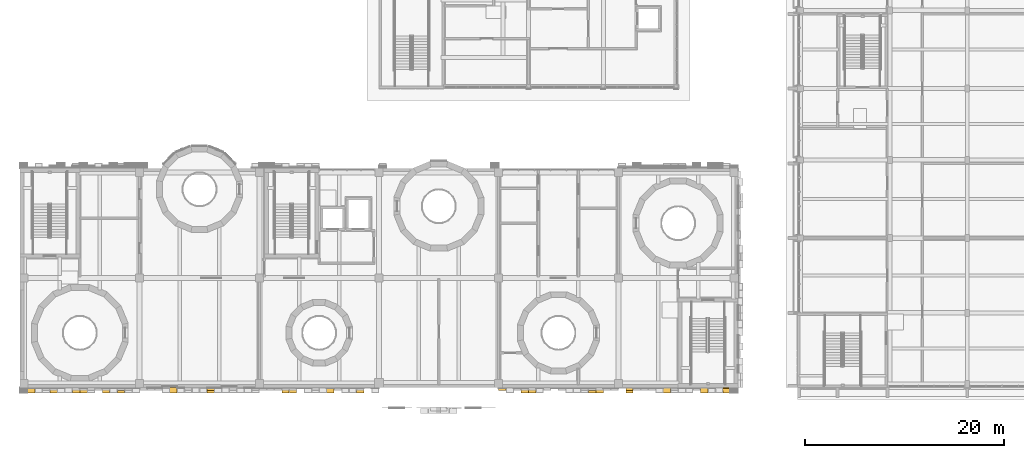
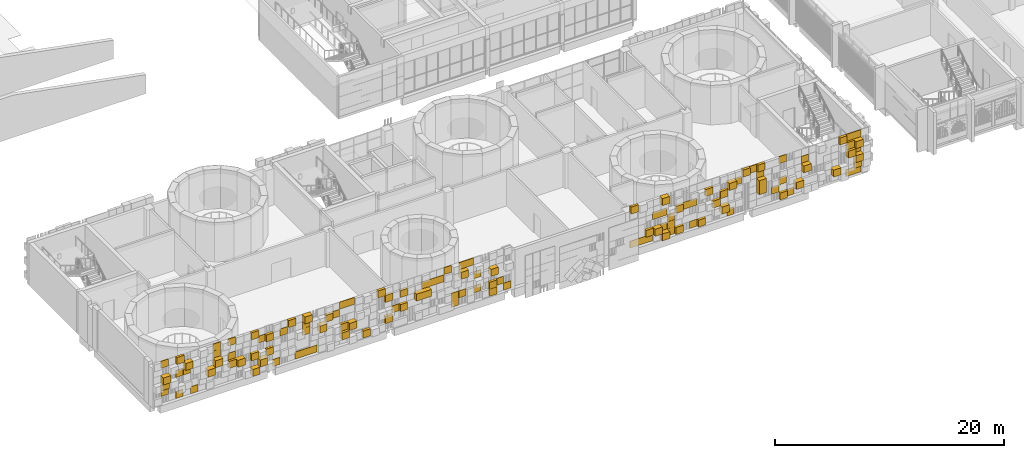
# One storey, part 61 of 92: 1 covering.
"""IFC4 building model written with IfcOpenShell, lengths in metres."""

from ifc_helpers import new_model, si_unit, direction, frame, origin, origin_2d, place, context, subcontext, project, spatial, rectangle, extrude, material, layer, layer_set, type_object, element, save


model = new_model("IFC4")

# Units and contexts
model_context = context("Model", 3, precision=1e-05, world=origin(), true_north=direction((0.0, 1.0)))
body_context = subcontext(model_context, "Body", "Model", "MODEL_VIEW")
ifc_project = project(units=[si_unit("LENGTHUNIT", "METRE"), si_unit("AREAUNIT", "SQUARE_METRE"), si_unit("VOLUMEUNIT", "CUBIC_METRE"), si_unit("PLANEANGLEUNIT", "RADIAN"), si_unit("MASSUNIT", "GRAM", prefix="KILO")], contexts=[model_context])

# Site, building, storey
site_placement = place(None, origin())
site = spatial("IfcSite", under=ifc_project, at=site_placement, CompositionType="ELEMENT")
building_placement = place(site_placement, origin())
building = spatial("IfcBuilding", under=site, at=building_placement, Name="Sun Court Science Centre", CompositionType="ELEMENT")
storey_placement = place(building_placement, frame((0.0, 0.0, 11.25)))
storey = spatial("IfcBuildingStorey", under=building, at=storey_placement, Name="L02", CompositionType="ELEMENT", Elevation=11.25)

# Covering
ifc_material = material(Name="Terracotta shade 1", Category="masonry")
ifc_layer = layer(ifc_material, 0.06005859375)
ifc_layer_set = layer_set([ifc_layer], Name="Terracotta shade 1")
covering_type = type_object("IfcCoveringType", Name="Terracotta pixel panel shade 1", PredefinedType="CLADDING", material=ifc_layer_set)
covering_placement = place(storey_placement, frame((0.0, 0.0, -11.25)))
element("IfcCovering", 1, at=covering_placement, inside=storey, type_object=covering_type, Name="Terracotta pixel cladding shade 1 south face L02", PredefinedType="CLADDING", context=body_context, shape_type="SweptSolid", body=[
    extrude(rectangle(XDim=0.739990234375, YDim=0.06005859375, at=origin_2d()), frame((70.875, 5.969970703125, 11.2548828125), z_axis=(0.0, 0.0, 1.0), x_axis=(-1.0, 0.0, 0.0)), (0.0, 0.0, 1.0), 0.739990234375),
    extrude(rectangle(XDim=0.739990234375, YDim=0.06005859375, at=origin_2d()), frame((70.125, 5.969970703125, 11.2548828125), z_axis=(0.0, 0.0, 1.0), x_axis=(-1.0, 0.0, 0.0)), (0.0, 0.0, 1.0), 0.739990234375),
    extrude(rectangle(XDim=0.739990234375, YDim=0.06005859375, at=origin_2d()), frame((64.125, 5.969970703125, 11.2548828125), z_axis=(0.0, 0.0, 1.0), x_axis=(-1.0, 0.0, 0.0)), (0.0, 0.0, 1.0), 0.739990234375),
    extrude(rectangle(XDim=0.739990234375, YDim=0.260009765625, at=origin_2d()), frame((63.375, 5.8701171875, 11.2548828125), z_axis=(0.0, 0.0, 1.0), x_axis=(-1.0, 0.0, 0.0)), (0.0, 0.0, 1.0), 0.739990234375),
    extrude(rectangle(XDim=0.739990234375, YDim=0.06005859375, at=origin_2d()), frame((58.125, 5.969970703125, 11.2548828125), z_axis=(0.0, 0.0, 1.0), x_axis=(-1.0, 0.0, 0.0)), (0.0, 0.0, 1.0), 0.739990234375),
    extrude(rectangle(XDim=0.739990234375, YDim=0.260009765625, at=origin_2d()), frame((55.125, 5.8701171875, 11.2548828125), z_axis=(0.0, 0.0, 1.0), x_axis=(-1.0, 0.0, 0.0)), (0.0, 0.0, 1.0), 0.739990234375),
    extrude(rectangle(XDim=0.739990234375, YDim=0.06005859375, at=origin_2d()), frame((54.375, 5.969970703125, 11.2548828125), z_axis=(0.0, 0.0, 1.0), x_axis=(-1.0, 0.0, 0.0)), (0.0, 0.0, 1.0), 0.739990234375),
    extrude(rectangle(XDim=0.739990234375, YDim=0.260009765625, at=origin_2d()), frame((52.875, 5.8701171875, 11.2548828125), z_axis=(0.0, 0.0, 1.0), x_axis=(-1.0, 0.0, 0.0)), (0.0, 0.0, 1.0), 0.739990234375),
    extrude(rectangle(XDim=0.739990234375, YDim=0.06005859375, at=origin_2d()), frame((52.125, 5.969970703125, 11.2548828125), z_axis=(0.0, 0.0, 1.0), x_axis=(-1.0, 0.0, 0.0)), (0.0, 0.0, 1.0), 0.739990234375),
    extrude(rectangle(XDim=0.739990234375, YDim=0.510009765625, at=origin_2d()), frame((51.375, 5.7451171875, 11.2548828125), z_axis=(0.0, 0.0, 1.0), x_axis=(-1.0, 0.0, 0.0)), (0.0, 0.0, 1.0), 0.739990234375),
    extrude(rectangle(XDim=0.739990234375, YDim=0.06005859375, at=origin_2d()), frame((49.875, 5.969970703125, 11.2548828125), z_axis=(0.0, 0.0, 1.0), x_axis=(-1.0, 0.0, 0.0)), (0.0, 0.0, 1.0), 0.739990234375),
    extrude(rectangle(XDim=0.739990234375, YDim=0.06005859375, at=origin_2d()), frame((49.125, 5.969970703125, 11.2548828125), z_axis=(0.0, 0.0, 1.0), x_axis=(-1.0, 0.0, 0.0)), (0.0, 0.0, 1.0), 0.739990234375),
    extrude(rectangle(XDim=0.739990234375, YDim=0.06005859375, at=origin_2d()), frame((48.375, 5.969970703125, 11.2548828125), z_axis=(0.0, 0.0, 1.0), x_axis=(-1.0, 0.0, 0.0)), (0.0, 0.0, 1.0), 0.739990234375),
    extrude(rectangle(XDim=0.739990234375, YDim=0.06005859375, at=origin_2d()), frame((35.625, 5.969970703125, 11.2548828125), z_axis=(0.0, 0.0, 1.0), x_axis=(-1.0, 0.0, 0.0)), (0.0, 0.0, 1.0), 0.739990234375),
    extrude(rectangle(XDim=0.739990234375, YDim=0.260009765625, at=origin_2d()), frame((34.125, 5.8701171875, 11.2548828125), z_axis=(0.0, 0.0, 1.0), x_axis=(-1.0, 0.0, 0.0)), (0.0, 0.0, 1.0), 0.739990234375),
    extrude(rectangle(XDim=0.739990234375, YDim=0.06005859375, at=origin_2d()), frame((30.375, 5.969970703125, 11.2548828125), z_axis=(0.0, 0.0, 1.0), x_axis=(-1.0, 0.0, 0.0)), (0.0, 0.0, 1.0), 0.739990234375),
    extrude(rectangle(XDim=0.739990234375, YDim=0.260009765625, at=origin_2d()), frame((21.375, 5.8701171875, 11.2548828125), z_axis=(0.0, 0.0, 1.0), x_axis=(-1.0, 0.0, 0.0)), (0.0, 0.0, 1.0), 0.739990234375),
    extrude(rectangle(XDim=0.739990234375, YDim=0.06005859375, at=origin_2d()), frame((16.125, 5.969970703125, 11.2548828125), z_axis=(0.0, 0.0, 1.0), x_axis=(-1.0, 0.0, 0.0)), (0.0, 0.0, 1.0), 0.739990234375),
    extrude(rectangle(XDim=0.739990234375, YDim=0.06005859375, at=origin_2d()), frame((15.375, 5.969970703125, 11.2548828125), z_axis=(0.0, 0.0, 1.0), x_axis=(-1.0, 0.0, 0.0)), (0.0, 0.0, 1.0), 0.739990234375),
    extrude(rectangle(XDim=0.739990234375, YDim=0.06005859375, at=origin_2d()), frame((14.625, 5.969970703125, 11.2548828125), z_axis=(0.0, 0.0, 1.0), x_axis=(-1.0, 0.0, 0.0)), (0.0, 0.0, 1.0), 0.739990234375),
    extrude(rectangle(XDim=0.739990234375, YDim=0.06005859375, at=origin_2d()), frame((12.375, 5.969970703125, 11.2548828125), z_axis=(0.0, 0.0, 1.0), x_axis=(-1.0, 0.0, 0.0)), (0.0, 0.0, 1.0), 0.739990234375),
    extrude(rectangle(XDim=0.739990234375, YDim=0.510009765625, at=origin_2d()), frame((10.125, 5.7451171875, 11.2548828125), z_axis=(0.0, 0.0, 1.0), x_axis=(-1.0, 0.0, 0.0)), (0.0, 0.0, 1.0), 0.739990234375),
    extrude(rectangle(XDim=0.739990234375, YDim=0.06005859375, at=origin_2d()), frame((4.125, 5.969970703125, 11.2548828125), z_axis=(0.0, 0.0, 1.0), x_axis=(-1.0, 0.0, 0.0)), (0.0, 0.0, 1.0), 0.739990234375),
    extrude(rectangle(XDim=0.739990234375, YDim=0.06005859375, at=origin_2d()), frame((2.625, 5.969970703125, 11.2548828125), z_axis=(0.0, 0.0, 1.0), x_axis=(-1.0, 0.0, 0.0)), (0.0, 0.0, 1.0), 0.739990234375),
    extrude(rectangle(XDim=0.739990234375, YDim=0.510009765625, at=origin_2d()), frame((68.625, 5.7451171875, 12.0048828125), z_axis=(0.0, 0.0, 1.0), x_axis=(-1.0, 0.0, 0.0)), (0.0, 0.0, 1.0), 0.739990234375),
    extrude(rectangle(XDim=0.739990234375, YDim=0.510009765625, at=origin_2d()), frame((64.875, 5.7451171875, 12.0048828125), z_axis=(0.0, 0.0, 1.0), x_axis=(-1.0, 0.0, 0.0)), (0.0, 0.0, 1.0), 0.739990234375),
    extrude(rectangle(XDim=0.739990234375, YDim=0.06005859375, at=origin_2d()), frame((62.625, 5.969970703125, 12.0048828125), z_axis=(0.0, 0.0, 1.0), x_axis=(-1.0, 0.0, 0.0)), (0.0, 0.0, 1.0), 0.739990234375),
    extrude(rectangle(XDim=0.739990234375, YDim=0.510009765625, at=origin_2d()), frame((57.375, 5.7451171875, 12.0048828125), z_axis=(0.0, 0.0, 1.0), x_axis=(-1.0, 0.0, 0.0)), (0.0, 0.0, 1.0), 0.739990234375),
    extrude(rectangle(XDim=0.739990234375, YDim=0.06005859375, at=origin_2d()), frame((52.125, 5.969970703125, 12.0048828125), z_axis=(0.0, 0.0, 1.0), x_axis=(-1.0, 0.0, 0.0)), (0.0, 0.0, 1.0), 0.739990234375),
    extrude(rectangle(XDim=0.739990234375, YDim=0.06005859375, at=origin_2d()), frame((51.375, 5.969970703125, 12.0048828125), z_axis=(0.0, 0.0, 1.0), x_axis=(-1.0, 0.0, 0.0)), (0.0, 0.0, 1.0), 0.739990234375),
    extrude(rectangle(XDim=0.739990234375, YDim=0.510009765625, at=origin_2d()), frame((50.625, 5.7451171875, 12.0048828125), z_axis=(0.0, 0.0, 1.0), x_axis=(-1.0, 0.0, 0.0)), (0.0, 0.0, 1.0), 0.739990234375),
    extrude(rectangle(XDim=0.739990234375, YDim=0.260009765625, at=origin_2d()), frame((49.875, 5.8701171875, 12.0048828125), z_axis=(0.0, 0.0, 1.0), x_axis=(-1.0, 0.0, 0.0)), (0.0, 0.0, 1.0), 0.739990234375),
    extrude(rectangle(XDim=0.739990234375, YDim=0.06005859375, at=origin_2d()), frame((34.875, 5.969970703125, 12.0048828125), z_axis=(0.0, 0.0, 1.0), x_axis=(-1.0, 0.0, 0.0)), (0.0, 0.0, 1.0), 0.739990234375),
    extrude(rectangle(XDim=0.739990234375, YDim=0.260009765625, at=origin_2d()), frame((34.125, 5.8701171875, 12.0048828125), z_axis=(0.0, 0.0, 1.0), x_axis=(-1.0, 0.0, 0.0)), (0.0, 0.0, 1.0), 0.739990234375),
    extrude(rectangle(XDim=0.739990234375, YDim=0.06005859375, at=origin_2d()), frame((32.625, 5.969970703125, 12.0048828125), z_axis=(0.0, 0.0, 1.0), x_axis=(-1.0, 0.0, 0.0)), (0.0, 0.0, 1.0), 0.739990234375),
    extrude(rectangle(XDim=0.739990234375, YDim=0.06005859375, at=origin_2d()), frame((31.125, 5.969970703125, 12.0048828125), z_axis=(0.0, 0.0, 1.0), x_axis=(-1.0, 0.0, 0.0)), (0.0, 0.0, 1.0), 0.739990234375),
    extrude(rectangle(XDim=0.739990234375, YDim=0.06005859375, at=origin_2d()), frame((30.375, 5.969970703125, 12.0048828125), z_axis=(0.0, 0.0, 1.0), x_axis=(-1.0, 0.0, 0.0)), (0.0, 0.0, 1.0), 0.739990234375),
    extrude(rectangle(XDim=0.739990234375, YDim=0.260009765625, at=origin_2d()), frame((23.625, 5.8701171875, 12.0048828125), z_axis=(0.0, 0.0, 1.0), x_axis=(-1.0, 0.0, 0.0)), (0.0, 0.0, 1.0), 0.739990234375),
    extrude(rectangle(XDim=0.739990234375, YDim=0.510009765625, at=origin_2d()), frame((19.125, 5.7451171875, 12.0048828125), z_axis=(0.0, 0.0, 1.0), x_axis=(-1.0, 0.0, 0.0)), (0.0, 0.0, 1.0), 0.739990234375),
    extrude(rectangle(XDim=0.739990234375, YDim=0.510009765625, at=origin_2d()), frame((10.875, 5.7451171875, 12.0048828125), z_axis=(0.0, 0.0, 1.0), x_axis=(-1.0, 0.0, 0.0)), (0.0, 0.0, 1.0), 0.739990234375),
    extrude(rectangle(XDim=0.739990234375, YDim=0.06005859375, at=origin_2d()), frame((63.375, 5.969970703125, 12.7548828125), z_axis=(0.0, 0.0, 1.0), x_axis=(-1.0, 0.0, 0.0)), (0.0, 0.0, 1.0), 0.739990234375),
    extrude(rectangle(XDim=0.739990234375, YDim=0.510009765625, at=origin_2d()), frame((61.125, 5.7451171875, 12.7548828125), z_axis=(0.0, 0.0, 1.0), x_axis=(-1.0, 0.0, 0.0)), (0.0, 0.0, 1.0), 0.739990234375),
    extrude(rectangle(XDim=0.739990234375, YDim=0.260009765625, at=origin_2d()), frame((56.625, 5.8701171875, 12.7548828125), z_axis=(0.0, 0.0, 1.0), x_axis=(-1.0, 0.0, 0.0)), (0.0, 0.0, 1.0), 0.739990234375),
    extrude(rectangle(XDim=0.739990234375, YDim=0.06005859375, at=origin_2d()), frame((52.125, 5.969970703125, 12.7548828125), z_axis=(0.0, 0.0, 1.0), x_axis=(-1.0, 0.0, 0.0)), (0.0, 0.0, 1.0), 0.739990234375),
    extrude(rectangle(XDim=0.739990234375, YDim=0.260009765625, at=origin_2d()), frame((25.125, 5.8701171875, 12.7548828125), z_axis=(0.0, 0.0, 1.0), x_axis=(-1.0, 0.0, 0.0)), (0.0, 0.0, 1.0), 0.739990234375),
    extrude(rectangle(XDim=0.739990234375, YDim=0.06005859375, at=origin_2d()), frame((24.375, 5.969970703125, 12.7548828125), z_axis=(0.0, 0.0, 1.0), x_axis=(-1.0, 0.0, 0.0)), (0.0, 0.0, 1.0), 0.739990234375),
    extrude(rectangle(XDim=0.739990234375, YDim=0.510009765625, at=origin_2d()), frame((19.875, 5.7451171875, 12.7548828125), z_axis=(0.0, 0.0, 1.0), x_axis=(-1.0, 0.0, 0.0)), (0.0, 0.0, 1.0), 0.739990234375),
    extrude(rectangle(XDim=0.739990234375, YDim=0.260009765625, at=origin_2d()), frame((19.125, 5.8701171875, 12.7548828125), z_axis=(0.0, 0.0, 1.0), x_axis=(-1.0, 0.0, 0.0)), (0.0, 0.0, 1.0), 0.739990234375),
    extrude(rectangle(XDim=0.739990234375, YDim=0.260009765625, at=origin_2d()), frame((11.625, 5.8701171875, 12.7548828125), z_axis=(0.0, 0.0, 1.0), x_axis=(-1.0, 0.0, 0.0)), (0.0, 0.0, 1.0), 0.739990234375),
    extrude(rectangle(XDim=0.739990234375, YDim=0.260009765625, at=origin_2d()), frame((10.125, 5.8701171875, 12.7548828125), z_axis=(0.0, 0.0, 1.0), x_axis=(-1.0, 0.0, 0.0)), (0.0, 0.0, 1.0), 0.739990234375),
    extrude(rectangle(XDim=0.739990234375, YDim=0.510009765625, at=origin_2d()), frame((8.625, 5.7451171875, 12.7548828125), z_axis=(0.0, 0.0, 1.0), x_axis=(-1.0, 0.0, 0.0)), (0.0, 0.0, 1.0), 0.739990234375),
    extrude(rectangle(XDim=0.739990234375, YDim=0.260009765625, at=origin_2d()), frame((7.875, 5.8701171875, 12.7548828125), z_axis=(0.0, 0.0, 1.0), x_axis=(-1.0, 0.0, 0.0)), (0.0, 0.0, 1.0), 0.739990234375),
    extrude(rectangle(XDim=0.739990234375, YDim=0.510009765625, at=origin_2d()), frame((5.625, 5.7451171875, 12.7548828125), z_axis=(0.0, 0.0, 1.0), x_axis=(-1.0, 0.0, 0.0)), (0.0, 0.0, 1.0), 0.739990234375),
    extrude(rectangle(XDim=0.739990234375, YDim=0.260009765625, at=origin_2d()), frame((1.125, 5.8701171875, 12.7548828125), z_axis=(0.0, 0.0, 1.0), x_axis=(-1.0, 0.0, 0.0)), (0.0, 0.0, 1.0), 0.739990234375),
    extrude(rectangle(XDim=0.739990234375, YDim=0.06005859375, at=origin_2d()), frame((70.875, 5.969970703125, 13.5048828125), z_axis=(0.0, 0.0, 1.0), x_axis=(-1.0, 0.0, 0.0)), (0.0, 0.0, 1.0), 0.739990234375),
    extrude(rectangle(XDim=0.739990234375, YDim=0.510009765625, at=origin_2d()), frame((70.125, 5.7451171875, 13.5048828125), z_axis=(0.0, 0.0, 1.0), x_axis=(-1.0, 0.0, 0.0)), (0.0, 0.0, 1.0), 0.739990234375),
    extrude(rectangle(XDim=0.739990234375, YDim=0.510009765625, at=origin_2d()), frame((65.625, 5.7451171875, 13.5048828125), z_axis=(0.0, 0.0, 1.0), x_axis=(-1.0, 0.0, 0.0)), (0.0, 0.0, 1.0), 0.739990234375),
    extrude(rectangle(XDim=0.739990234375, YDim=0.510009765625, at=origin_2d()), frame((61.125, 5.7451171875, 13.5048828125), z_axis=(0.0, 0.0, 1.0), x_axis=(-1.0, 0.0, 0.0)), (0.0, 0.0, 1.0), 0.739990234375),
    extrude(rectangle(XDim=0.739990234375, YDim=0.260009765625, at=origin_2d()), frame((57.375, 5.8701171875, 13.5048828125), z_axis=(0.0, 0.0, 1.0), x_axis=(-1.0, 0.0, 0.0)), (0.0, 0.0, 1.0), 0.739990234375),
    extrude(rectangle(XDim=0.739990234375, YDim=0.06005859375, at=origin_2d()), frame((54.375, 5.969970703125, 13.5048828125), z_axis=(0.0, 0.0, 1.0), x_axis=(-1.0, 0.0, 0.0)), (0.0, 0.0, 1.0), 0.739990234375),
    extrude(rectangle(XDim=0.739990234375, YDim=0.06005859375, at=origin_2d()), frame((53.625, 5.969970703125, 13.5048828125), z_axis=(0.0, 0.0, 1.0), x_axis=(-1.0, 0.0, 0.0)), (0.0, 0.0, 1.0), 0.739990234375),
    extrude(rectangle(XDim=0.739990234375, YDim=0.260009765625, at=origin_2d()), frame((52.875, 5.8701171875, 13.5048828125), z_axis=(0.0, 0.0, 1.0), x_axis=(-1.0, 0.0, 0.0)), (0.0, 0.0, 1.0), 0.739990234375),
    extrude(rectangle(XDim=0.739990234375, YDim=0.06005859375, at=origin_2d()), frame((51.375, 5.969970703125, 13.5048828125), z_axis=(0.0, 0.0, 1.0), x_axis=(-1.0, 0.0, 0.0)), (0.0, 0.0, 1.0), 0.739990234375),
    extrude(rectangle(XDim=0.739990234375, YDim=0.06005859375, at=origin_2d()), frame((50.625, 5.969970703125, 13.5048828125), z_axis=(0.0, 0.0, 1.0), x_axis=(-1.0, 0.0, 0.0)), (0.0, 0.0, 1.0), 0.739990234375),
    extrude(rectangle(XDim=0.739990234375, YDim=0.510009765625, at=origin_2d()), frame((34.125, 5.7451171875, 13.5048828125), z_axis=(0.0, 0.0, 1.0), x_axis=(-1.0, 0.0, 0.0)), (0.0, 0.0, 1.0), 0.739990234375),
    extrude(rectangle(XDim=0.739990234375, YDim=0.06005859375, at=origin_2d()), frame((32.625, 5.969970703125, 13.5048828125), z_axis=(0.0, 0.0, 1.0), x_axis=(-1.0, 0.0, 0.0)), (0.0, 0.0, 1.0), 0.739990234375),
    extrude(rectangle(XDim=0.739990234375, YDim=0.510009765625, at=origin_2d()), frame((27.375, 5.7451171875, 13.5048828125), z_axis=(0.0, 0.0, 1.0), x_axis=(-1.0, 0.0, 0.0)), (0.0, 0.0, 1.0), 0.739990234375),
    extrude(rectangle(XDim=0.739990234375, YDim=0.510009765625, at=origin_2d()), frame((26.625, 5.7451171875, 13.5048828125), z_axis=(0.0, 0.0, 1.0), x_axis=(-1.0, 0.0, 0.0)), (0.0, 0.0, 1.0), 0.739990234375),
    extrude(rectangle(XDim=0.739990234375, YDim=0.510009765625, at=origin_2d()), frame((16.875, 5.7451171875, 13.5048828125), z_axis=(0.0, 0.0, 1.0), x_axis=(-1.0, 0.0, 0.0)), (0.0, 0.0, 1.0), 0.739990234375),
    extrude(rectangle(XDim=0.739990234375, YDim=0.06005859375, at=origin_2d()), frame((15.375, 5.969970703125, 13.5048828125), z_axis=(0.0, 0.0, 1.0), x_axis=(-1.0, 0.0, 0.0)), (0.0, 0.0, 1.0), 0.739990234375),
    extrude(rectangle(XDim=0.739990234375, YDim=0.06005859375, at=origin_2d()), frame((7.875, 5.969970703125, 13.5048828125), z_axis=(0.0, 0.0, 1.0), x_axis=(-1.0, 0.0, 0.0)), (0.0, 0.0, 1.0), 0.739990234375),
    extrude(rectangle(XDim=0.739990234375, YDim=0.510009765625, at=origin_2d()), frame((6.375, 5.7451171875, 13.5048828125), z_axis=(0.0, 0.0, 1.0), x_axis=(-1.0, 0.0, 0.0)), (0.0, 0.0, 1.0), 0.739990234375),
    extrude(rectangle(XDim=0.739990234375, YDim=0.06005859375, at=origin_2d()), frame((3.375, 5.969970703125, 13.5048828125), z_axis=(0.0, 0.0, 1.0), x_axis=(-1.0, 0.0, 0.0)), (0.0, 0.0, 1.0), 0.739990234375),
    extrude(rectangle(XDim=0.739990234375, YDim=0.06005859375, at=origin_2d()), frame((2.625, 5.969970703125, 13.5048828125), z_axis=(0.0, 0.0, 1.0), x_axis=(-1.0, 0.0, 0.0)), (0.0, 0.0, 1.0), 0.739990234375),
    extrude(rectangle(XDim=0.739990234375, YDim=0.510009765625, at=origin_2d()), frame((70.875, 5.7451171875, 14.2548828125), z_axis=(0.0, 0.0, 1.0), x_axis=(-1.0, 0.0, 0.0)), (0.0, 0.0, 1.0), 0.739990234375),
    extrude(rectangle(XDim=0.739990234375, YDim=0.260009765625, at=origin_2d()), frame((70.125, 5.8701171875, 14.2548828125), z_axis=(0.0, 0.0, 1.0), x_axis=(-1.0, 0.0, 0.0)), (0.0, 0.0, 1.0), 0.739990234375),
    extrude(rectangle(XDim=0.739990234375, YDim=0.06005859375, at=origin_2d()), frame((65.625, 5.969970703125, 14.2548828125), z_axis=(0.0, 0.0, 1.0), x_axis=(-1.0, 0.0, 0.0)), (0.0, 0.0, 1.0), 0.739990234375),
    extrude(rectangle(XDim=0.739990234375, YDim=0.06005859375, at=origin_2d()), frame((61.125, 5.969970703125, 14.2548828125), z_axis=(0.0, 0.0, 1.0), x_axis=(-1.0, 0.0, 0.0)), (0.0, 0.0, 1.0), 0.739990234375),
    extrude(rectangle(XDim=0.739990234375, YDim=0.06005859375, at=origin_2d()), frame((58.875, 5.969970703125, 14.2548828125), z_axis=(0.0, 0.0, 1.0), x_axis=(-1.0, 0.0, 0.0)), (0.0, 0.0, 1.0), 0.739990234375),
    extrude(rectangle(XDim=0.739990234375, YDim=0.510009765625, at=origin_2d()), frame((58.125, 5.7451171875, 14.2548828125), z_axis=(0.0, 0.0, 1.0), x_axis=(-1.0, 0.0, 0.0)), (0.0, 0.0, 1.0), 0.739990234375),
    extrude(rectangle(XDim=0.739990234375, YDim=0.260009765625, at=origin_2d()), frame((55.875, 5.8701171875, 14.2548828125), z_axis=(0.0, 0.0, 1.0), x_axis=(-1.0, 0.0, 0.0)), (0.0, 0.0, 1.0), 0.739990234375),
    extrude(rectangle(XDim=0.739990234375, YDim=0.510009765625, at=origin_2d()), frame((31.125, 5.7451171875, 14.2548828125), z_axis=(0.0, 0.0, 1.0), x_axis=(-1.0, 0.0, 0.0)), (0.0, 0.0, 1.0), 0.739990234375),
    extrude(rectangle(XDim=0.739990234375, YDim=0.06005859375, at=origin_2d()), frame((28.875, 5.969970703125, 14.2548828125), z_axis=(0.0, 0.0, 1.0), x_axis=(-1.0, 0.0, 0.0)), (0.0, 0.0, 1.0), 0.739990234375),
    extrude(rectangle(XDim=0.739990234375, YDim=0.06005859375, at=origin_2d()), frame((28.125, 5.969970703125, 14.2548828125), z_axis=(0.0, 0.0, 1.0), x_axis=(-1.0, 0.0, 0.0)), (0.0, 0.0, 1.0), 0.739990234375),
    extrude(rectangle(XDim=0.739990234375, YDim=0.06005859375, at=origin_2d()), frame((27.375, 5.969970703125, 14.2548828125), z_axis=(0.0, 0.0, 1.0), x_axis=(-1.0, 0.0, 0.0)), (0.0, 0.0, 1.0), 0.739990234375),
    extrude(rectangle(XDim=0.739990234375, YDim=0.260009765625, at=origin_2d()), frame((25.125, 5.8701171875, 14.2548828125), z_axis=(0.0, 0.0, 1.0), x_axis=(-1.0, 0.0, 0.0)), (0.0, 0.0, 1.0), 0.739990234375),
    extrude(rectangle(XDim=0.739990234375, YDim=0.260009765625, at=origin_2d()), frame((23.625, 5.8701171875, 14.2548828125), z_axis=(0.0, 0.0, 1.0), x_axis=(-1.0, 0.0, 0.0)), (0.0, 0.0, 1.0), 0.739990234375),
    extrude(rectangle(XDim=0.739990234375, YDim=0.06005859375, at=origin_2d()), frame((18.375, 5.969970703125, 14.2548828125), z_axis=(0.0, 0.0, 1.0), x_axis=(-1.0, 0.0, 0.0)), (0.0, 0.0, 1.0), 0.739990234375),
    extrude(rectangle(XDim=0.739990234375, YDim=0.260009765625, at=origin_2d()), frame((17.625, 5.8701171875, 14.2548828125), z_axis=(0.0, 0.0, 1.0), x_axis=(-1.0, 0.0, 0.0)), (0.0, 0.0, 1.0), 0.739990234375),
    extrude(rectangle(XDim=0.739990234375, YDim=0.06005859375, at=origin_2d()), frame((15.375, 5.969970703125, 14.2548828125), z_axis=(0.0, 0.0, 1.0), x_axis=(-1.0, 0.0, 0.0)), (0.0, 0.0, 1.0), 0.739990234375),
    extrude(rectangle(XDim=0.739990234375, YDim=0.06005859375, at=origin_2d()), frame((13.125, 5.969970703125, 14.2548828125), z_axis=(0.0, 0.0, 1.0), x_axis=(-1.0, 0.0, 0.0)), (0.0, 0.0, 1.0), 0.739990234375),
    extrude(rectangle(XDim=0.739990234375, YDim=0.260009765625, at=origin_2d()), frame((11.625, 5.8701171875, 14.2548828125), z_axis=(0.0, 0.0, 1.0), x_axis=(-1.0, 0.0, 0.0)), (0.0, 0.0, 1.0), 0.739990234375),
    extrude(rectangle(XDim=0.739990234375, YDim=0.06005859375, at=origin_2d()), frame((10.875, 5.969970703125, 14.2548828125), z_axis=(0.0, 0.0, 1.0), x_axis=(-1.0, 0.0, 0.0)), (0.0, 0.0, 1.0), 0.739990234375),
    extrude(rectangle(XDim=0.739990234375, YDim=0.06005859375, at=origin_2d()), frame((6.375, 5.969970703125, 14.2548828125), z_axis=(0.0, 0.0, 1.0), x_axis=(-1.0, 0.0, 0.0)), (0.0, 0.0, 1.0), 0.739990234375),
    extrude(rectangle(XDim=0.739990234375, YDim=0.510009765625, at=origin_2d()), frame((3.375, 5.7451171875, 14.2548828125), z_axis=(0.0, 0.0, 1.0), x_axis=(-1.0, 0.0, 0.0)), (0.0, 0.0, 1.0), 0.739990234375),
    extrude(rectangle(XDim=0.739990234375, YDim=0.06005859375, at=origin_2d()), frame((70.125, 5.969970703125, 15.0048828125), z_axis=(0.0, 0.0, 1.0), x_axis=(-1.0, 0.0, 0.0)), (0.0, 0.0, 1.0), 0.739990234375),
    extrude(rectangle(XDim=0.739990234375, YDim=0.260009765625, at=origin_2d()), frame((69.375, 5.8701171875, 15.0048828125), z_axis=(0.0, 0.0, 1.0), x_axis=(-1.0, 0.0, 0.0)), (0.0, 0.0, 1.0), 0.739990234375),
    extrude(rectangle(XDim=0.739990234375, YDim=0.06005859375, at=origin_2d()), frame((63.375, 5.969970703125, 15.0048828125), z_axis=(0.0, 0.0, 1.0), x_axis=(-1.0, 0.0, 0.0)), (0.0, 0.0, 1.0), 0.739990234375),
    extrude(rectangle(XDim=0.739990234375, YDim=0.260009765625, at=origin_2d()), frame((61.125, 5.8701171875, 15.0048828125), z_axis=(0.0, 0.0, 1.0), x_axis=(-1.0, 0.0, 0.0)), (0.0, 0.0, 1.0), 0.739990234375),
    extrude(rectangle(XDim=0.739990234375, YDim=0.06005859375, at=origin_2d()), frame((60.375, 5.969970703125, 15.0048828125), z_axis=(0.0, 0.0, 1.0), x_axis=(-1.0, 0.0, 0.0)), (0.0, 0.0, 1.0), 0.739990234375),
    extrude(rectangle(XDim=0.739990234375, YDim=0.260009765625, at=origin_2d()), frame((59.625, 5.8701171875, 15.0048828125), z_axis=(0.0, 0.0, 1.0), x_axis=(-1.0, 0.0, 0.0)), (0.0, 0.0, 1.0), 0.739990234375),
    extrude(rectangle(XDim=0.739990234375, YDim=0.510009765625, at=origin_2d()), frame((51.375, 5.7451171875, 15.0048828125), z_axis=(0.0, 0.0, 1.0), x_axis=(-1.0, 0.0, 0.0)), (0.0, 0.0, 1.0), 0.739990234375),
    extrude(rectangle(XDim=0.739990234375, YDim=0.260009765625, at=origin_2d()), frame((48.375, 5.8701171875, 15.0048828125), z_axis=(0.0, 0.0, 1.0), x_axis=(-1.0, 0.0, 0.0)), (0.0, 0.0, 1.0), 0.739990234375),
    extrude(rectangle(XDim=0.739990234375, YDim=0.06005859375, at=origin_2d()), frame((31.875, 5.969970703125, 15.0048828125), z_axis=(0.0, 0.0, 1.0), x_axis=(-1.0, 0.0, 0.0)), (0.0, 0.0, 1.0), 0.739990234375),
    extrude(rectangle(XDim=0.739990234375, YDim=0.06005859375, at=origin_2d()), frame((31.125, 5.969970703125, 15.0048828125), z_axis=(0.0, 0.0, 1.0), x_axis=(-1.0, 0.0, 0.0)), (0.0, 0.0, 1.0), 0.739990234375),
    extrude(rectangle(XDim=0.739990234375, YDim=0.06005859375, at=origin_2d()), frame((29.625, 5.969970703125, 15.0048828125), z_axis=(0.0, 0.0, 1.0), x_axis=(-1.0, 0.0, 0.0)), (0.0, 0.0, 1.0), 0.739990234375),
    extrude(rectangle(XDim=0.739990234375, YDim=0.260009765625, at=origin_2d()), frame((22.875, 5.8701171875, 15.0048828125), z_axis=(0.0, 0.0, 1.0), x_axis=(-1.0, 0.0, 0.0)), (0.0, 0.0, 1.0), 0.739990234375),
    extrude(rectangle(XDim=0.739990234375, YDim=0.06005859375, at=origin_2d()), frame((19.875, 5.969970703125, 15.0048828125), z_axis=(0.0, 0.0, 1.0), x_axis=(-1.0, 0.0, 0.0)), (0.0, 0.0, 1.0), 0.739990234375),
    extrude(rectangle(XDim=0.739990234375, YDim=0.06005859375, at=origin_2d()), frame((19.125, 5.969970703125, 15.0048828125), z_axis=(0.0, 0.0, 1.0), x_axis=(-1.0, 0.0, 0.0)), (0.0, 0.0, 1.0), 0.739990234375),
    extrude(rectangle(XDim=0.739990234375, YDim=0.510009765625, at=origin_2d()), frame((15.375, 5.7451171875, 15.0048828125), z_axis=(0.0, 0.0, 1.0), x_axis=(-1.0, 0.0, 0.0)), (0.0, 0.0, 1.0), 0.739990234375),
    extrude(rectangle(XDim=0.739990234375, YDim=0.260009765625, at=origin_2d()), frame((13.875, 5.8701171875, 15.0048828125), z_axis=(0.0, 0.0, 1.0), x_axis=(-1.0, 0.0, 0.0)), (0.0, 0.0, 1.0), 0.739990234375),
    extrude(rectangle(XDim=0.739990234375, YDim=0.260009765625, at=origin_2d()), frame((10.125, 5.8701171875, 15.0048828125), z_axis=(0.0, 0.0, 1.0), x_axis=(-1.0, 0.0, 0.0)), (0.0, 0.0, 1.0), 0.739990234375),
    extrude(rectangle(XDim=0.739990234375, YDim=0.06005859375, at=origin_2d()), frame((7.875, 5.969970703125, 15.0048828125), z_axis=(0.0, 0.0, 1.0), x_axis=(-1.0, 0.0, 0.0)), (0.0, 0.0, 1.0), 0.739990234375),
    extrude(rectangle(XDim=0.739990234375, YDim=0.06005859375, at=origin_2d()), frame((6.375, 5.969970703125, 15.0048828125), z_axis=(0.0, 0.0, 1.0), x_axis=(-1.0, 0.0, 0.0)), (0.0, 0.0, 1.0), 0.739990234375),
    extrude(rectangle(XDim=0.739990234375, YDim=0.260009765625, at=origin_2d()), frame((2.625, 5.8701171875, 15.0048828125), z_axis=(0.0, 0.0, 1.0), x_axis=(-1.0, 0.0, 0.0)), (0.0, 0.0, 1.0), 0.739990234375),
    extrude(rectangle(XDim=0.739990234375, YDim=0.06005859375, at=origin_2d()), frame((1.125, 5.969970703125, 12.0048828125), z_axis=(0.0, 0.0, 1.0), x_axis=(-1.0, 0.0, 0.0)), (0.0, 0.0, 1.0), 0.739990234375),
    extrude(rectangle(XDim=0.739990234375, YDim=0.510009765625, at=origin_2d()), frame((1.125, 5.7451171875, 13.5048828125), z_axis=(0.0, 0.0, 1.0), x_axis=(-1.0, 0.0, 0.0)), (0.0, 0.0, 1.0), 0.739990234375),
    extrude(rectangle(XDim=0.739990234375, YDim=0.06005859375, at=origin_2d()), frame((1.125, 5.969970703125, 15.0048828125), z_axis=(0.0, 0.0, 1.0), x_axis=(-1.0, 0.0, 0.0)), (0.0, 0.0, 1.0), 0.739990234375),
    extrude(rectangle(XDim=0.739990234375, YDim=0.510009765625, at=origin_2d()), frame((70.875, 5.7451171875, 12.7548828125), z_axis=(0.0, 0.0, 1.0), x_axis=(-1.0, 0.0, 0.0)), (0.0, 0.0, 1.0), 0.739990234375),
    extrude(rectangle(XDim=0.739990234375, YDim=0.06005859375, at=origin_2d()), frame((70.875, 5.969970703125, 15.0048828125), z_axis=(0.0, 0.0, 1.0), x_axis=(-1.0, 0.0, 0.0)), (0.0, 0.0, 1.0), 0.739990234375),
    extrude(rectangle(XDim=0.739990234375, YDim=0.260009765625, at=origin_2d()), frame((70.875, 5.8701171875, 12.0048828125), z_axis=(0.0, 0.0, 1.0), x_axis=(-1.0, 0.0, 0.0)), (0.0, 0.0, 1.0), 0.739990234375),
])

save(model, "model.ifc")
